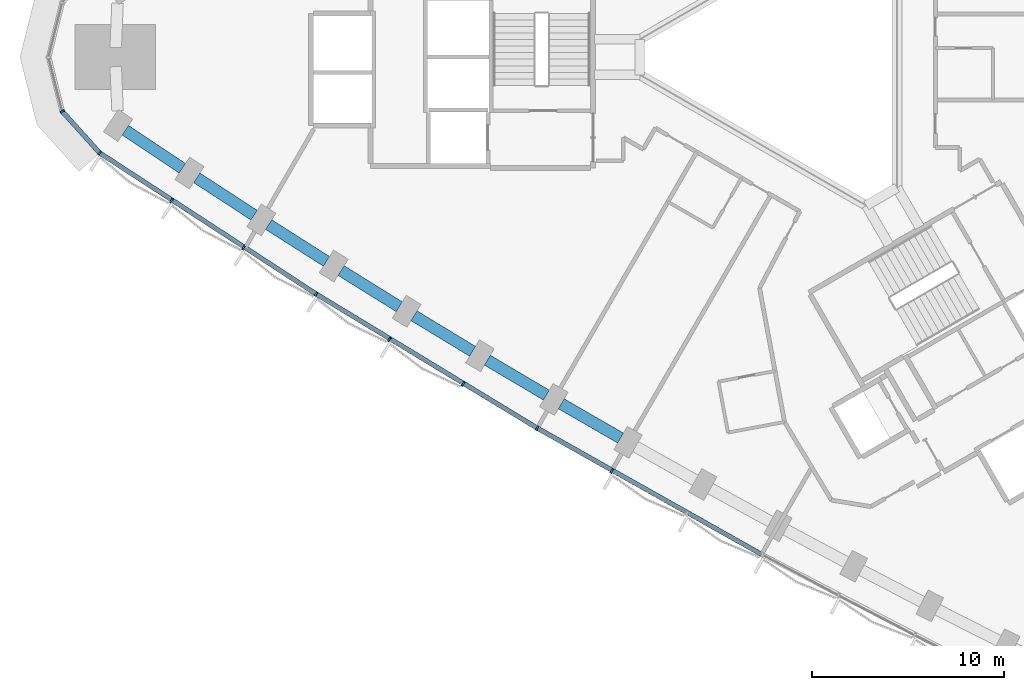
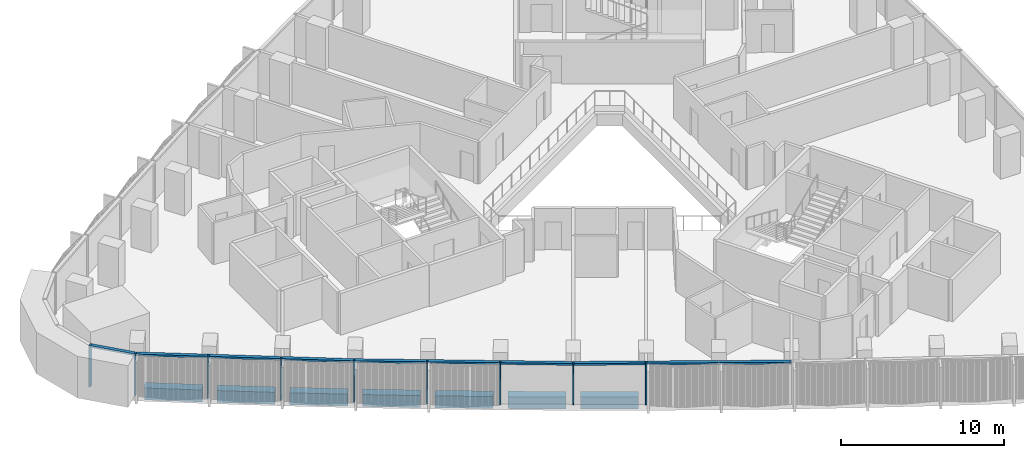
# One storey, part 2 of 15: 13 members, 7 beams, 2 elements without a shape of their own.
"""IFC4 building model written with IfcOpenShell, lengths in metres."""

from ifc_helpers import new_model, si_unit, direction, frame, origin, origin_2d, place, context, subcontext, project, spatial, rectangle, extrude, material, material_profile, profile_set, type_object, element, aggregate, save


model = new_model("IFC4")

# Units and contexts
model_context = context("Model", 3, precision=1e-05, world=origin(), true_north=direction((0.0, 1.0)))
body_context = subcontext(model_context, "Body", "Model", "MODEL_VIEW")
ifc_project = project(units=[si_unit("LENGTHUNIT", "METRE"), si_unit("AREAUNIT", "SQUARE_METRE"), si_unit("VOLUMEUNIT", "CUBIC_METRE"), si_unit("PLANEANGLEUNIT", "RADIAN"), si_unit("MASSUNIT", "GRAM", prefix="KILO")], contexts=[model_context])

# Site, building, storey
site_placement = place(None, origin())
site = spatial("IfcSite", under=ifc_project, at=site_placement, CompositionType="ELEMENT")
building_placement = place(site_placement, origin())
building = spatial("IfcBuilding", under=site, at=building_placement, Name="Tamra Quay Hotel Tower", CompositionType="ELEMENT")
storey_placement = place(building_placement, frame((0.0, 0.0, 42.199951171875)))
storey = spatial("IfcBuildingStorey", under=building, at=storey_placement, Name="L08", CompositionType="ELEMENT", Elevation=42.199951171875)

# Curtain wall, member
ifc_material_1 = material(Name="Aluminium 6063 anodised dark grey", Category="aluminium")
curtain_wall_type_1 = type_object("IfcCurtainWallType", Name="CW2 CURTAIN WALL", PredefinedType="NOTDEFINED", material=ifc_material_1)
curtain_wall_1_placement = place(storey_placement, origin())
curtain_wall_1 = element("IfcCurtainWall", 1, at=curtain_wall_1_placement, inside=storey, type_object=curtain_wall_type_1, Name="CW2 north-west face L08", PredefinedType="NOTDEFINED")
ifc_material_profile_1 = material_profile(ifc_material_1, rectangle(XDim=0.239990234375, YDim=0.10009765625, at=origin_2d()), Name="MULLION 100X240")
ifc_profile_set_1 = profile_set([ifc_material_profile_1], Name="Aluminium 6063 anodised dark grey")
member_type_1 = type_object("IfcMemberType", Name="MULLION CW2 Z1", PredefinedType="MULLION", material=ifc_profile_set_1)
member_1_placement = place(storey_placement, frame((-38.497802734375, -2.828125, 0.0), z_axis=(0.0, 0.0, 1.0), x_axis=(-0.882955345235, -0.469456982396, 0.0)))
member_1 = element("IfcMember", 2, at=member_1_placement, type_object=member_type_1, Name="CW2 mullion L08.NW.17", PredefinedType="MULLION", context=body_context, shape_type="SweptSolid", body=[
    extrude(rectangle(XDim=0.239990234375, YDim=0.10009765625, at=origin_2d()), origin(), (0.0, 0.0, 1.0), 3.125),
])

# Curtain wall, members
curtain_wall_type_2 = type_object("IfcCurtainWallType", Name="CW3 CURTAIN WALL", PredefinedType="NOTDEFINED", material=ifc_material_1)
curtain_wall_2_placement = place(storey_placement, origin())
curtain_wall_2 = element("IfcCurtainWall", 3, at=curtain_wall_2_placement, inside=storey, type_object=curtain_wall_type_2, Name="CW3 south-west face L08", PredefinedType="NOTDEFINED")
ifc_material_profile_2 = material_profile(ifc_material_1, rectangle(XDim=0.239990234375, YDim=0.10009765625, at=origin_2d()), Name="MULLION 100X240")
ifc_profile_set_2 = profile_set([ifc_material_profile_2], Name="Aluminium 6063 anodised dark grey")
member_type_2 = type_object("IfcMemberType", Name="MULLION CW3 Z1", PredefinedType="MULLION", material=ifc_profile_set_2)
member_2_placement = place(storey_placement, frame((-36.547607421875, -4.993896484375, 0.0), z_axis=(0.0, 0.0, 1.0), x_axis=(-0.654196774513, -0.756324388221, 0.0)))
member_2 = element("IfcMember", 4, at=member_2_placement, type_object=member_type_2, Name="CW3 mullion L08.SW.1", PredefinedType="MULLION", context=body_context, shape_type="SweptSolid", body=[
    extrude(rectangle(XDim=0.239990234375, YDim=0.10009765625, at=origin_2d()), origin(), (0.0, 0.0, 1.0), 3.125),
])
member_3_placement = place(storey_placement, frame((-32.814208984375, -7.4853515625, 0.0), z_axis=(0.0, 0.0, 1.0), x_axis=(-0.550591269595, -0.834774971981, 0.0)))
member_3 = element("IfcMember", 5, at=member_3_placement, type_object=member_type_2, Name="CW3 mullion L08.SW.2", PredefinedType="MULLION", context=body_context, shape_type="SweptSolid", body=[
    extrude(rectangle(XDim=0.239990234375, YDim=0.10009765625, at=origin_2d()), origin(), (0.0, 0.0, 1.0), 3.125),
])
member_4_placement = place(storey_placement, frame((-29.05322265625, -9.93701171875, 0.0), z_axis=(0.0, 0.0, 1.0), x_axis=(-0.541560885498, -0.84066152957, 0.0)))
member_4 = element("IfcMember", 6, at=member_4_placement, type_object=member_type_2, Name="CW3 mullion L08.SW.3", PredefinedType="MULLION", context=body_context, shape_type="SweptSolid", body=[
    extrude(rectangle(XDim=0.239990234375, YDim=0.10009765625, at=origin_2d()), origin(), (0.0, 0.0, 1.0), 3.125),
])
member_5_placement = place(storey_placement, frame((-25.2666015625, -12.34765625, 0.0), z_axis=(0.0, 0.0, 1.0), x_axis=(-0.532446882669, -0.846463417482, 0.0)))
member_5 = element("IfcMember", 7, at=member_5_placement, type_object=member_type_2, Name="CW3 mullion L08.SW.4", PredefinedType="MULLION", context=body_context, shape_type="SweptSolid", body=[
    extrude(rectangle(XDim=0.239990234375, YDim=0.10009765625, at=origin_2d()), origin(), (0.0, 0.0, 1.0), 3.125),
])
member_6_placement = place(storey_placement, frame((-21.454345703125, -14.717041015625, 0.0), z_axis=(0.0, 0.0, 1.0), x_axis=(-0.523257144174, -0.852174841843, 0.0)))
member_6 = element("IfcMember", 8, at=member_6_placement, type_object=member_type_2, Name="CW3 mullion L08.SW.5", PredefinedType="MULLION", context=body_context, shape_type="SweptSolid", body=[
    extrude(rectangle(XDim=0.239990234375, YDim=0.10009765625, at=origin_2d()), origin(), (0.0, 0.0, 1.0), 3.125),
])
member_7_placement = place(storey_placement, frame((-17.61572265625, -17.04541015625, 0.0), z_axis=(0.0, 0.0, 1.0), x_axis=(-0.514004526657, -0.857787471683, 0.0)))
member_7 = element("IfcMember", 9, at=member_7_placement, type_object=member_type_2, Name="CW3 mullion L08.SW.6", PredefinedType="MULLION", context=body_context, shape_type="SweptSolid", body=[
    extrude(rectangle(XDim=0.239990234375, YDim=0.10009765625, at=origin_2d()), origin(), (0.0, 0.0, 1.0), 3.125),
])
member_8_placement = place(storey_placement, frame((-13.7529296875, -19.331787109375, 0.0), z_axis=(0.0, 0.0, 1.0), x_axis=(-0.504685008453, -0.863303563205, 0.0)))
member_8 = element("IfcMember", 10, at=member_8_placement, type_object=member_type_2, Name="CW3 mullion L08.SW.7", PredefinedType="MULLION", context=body_context, shape_type="SweptSolid", body=[
    extrude(rectangle(XDim=0.239990234375, YDim=0.10009765625, at=origin_2d()), origin(), (0.0, 0.0, 1.0), 3.125),
])
member_9_placement = place(storey_placement, frame((-9.865478515625, -21.576171875, 0.0), z_axis=(0.0, 0.0, 1.0), x_axis=(-0.495300312687, -0.868721819832, 0.0)))
member_9 = element("IfcMember", 11, at=member_9_placement, type_object=member_type_2, Name="CW3 mullion L08.SW.8", PredefinedType="MULLION", context=body_context, shape_type="SweptSolid", body=[
    extrude(rectangle(XDim=0.239990234375, YDim=0.10009765625, at=origin_2d()), origin(), (0.0, 0.0, 1.0), 3.125),
])

# Beams
ifc_material_2 = material(Name="Concrete M60", Category="concrete")
ifc_material_profile_3 = material_profile(ifc_material_2, rectangle(XDim=0.60009765625, YDim=0.89990234375, at=origin_2d()), Name="SPANDREL BEAM RC 600x900")
ifc_profile_set_3 = profile_set([ifc_material_profile_3], Name="Concrete M60")
beam_type = type_object("IfcBeamType", Name="SPANDREL BEAM RC 600x900", PredefinedType="SPANDREL", material=ifc_profile_set_3)
beam_1_placement = place(storey_placement, frame((-35.209228515625, -3.814697265625, -0.925048828125), z_axis=(0.831818807601, -0.555047269448, 0.0), x_axis=(0.555047269448, 0.831818807601, 0.0)))
element("IfcBeam", 12, at=beam_1_placement, inside=storey, type_object=beam_type, Name="BM-SP1-030-L08", PredefinedType="SPANDREL", context=body_context, shape_type="SweptSolid", body=[
    extrude(rectangle(XDim=0.60009765625, YDim=0.89990234375, at=origin_2d()), origin(), (0.0, 0.0, 1.0), 3.57080078125),
])
beam_2_placement = place(storey_placement, frame((-31.48779296875, -6.292236328125, -0.925048828125), z_axis=(0.837739819239, -0.546069588296, 0.0), x_axis=(0.546069588296, 0.837739819239, 0.0)))
element("IfcBeam", 13, at=beam_2_placement, inside=storey, type_object=beam_type, Name="BM-SP1-031-L08", PredefinedType="SPANDREL", context=body_context, shape_type="SweptSolid", body=[
    extrude(rectangle(XDim=0.60009765625, YDim=0.89990234375, at=origin_2d()), origin(), (0.0, 0.0, 1.0), 3.570068359375),
])
beam_3_placement = place(storey_placement, frame((-27.740478515625, -8.729248046875, -0.925048828125), z_axis=(0.843593906333, -0.53698167678, 0.0), x_axis=(0.53698167678, 0.843593906333, 0.0)))
element("IfcBeam", 14, at=beam_3_placement, inside=storey, type_object=beam_type, Name="BM-SP1-032-L08", PredefinedType="SPANDREL", context=body_context, shape_type="SweptSolid", body=[
    extrude(rectangle(XDim=0.60009765625, YDim=0.89990234375, at=origin_2d()), origin(), (0.0, 0.0, 1.0), 3.5703125),
])
beam_4_placement = place(storey_placement, frame((-23.966552734375, -11.125732421875, -0.925048828125), z_axis=(0.849320953317, -0.527876802158, 0.0), x_axis=(0.527876802158, 0.849320953317, 0.0)))
element("IfcBeam", 15, at=beam_4_placement, inside=storey, type_object=beam_type, Name="BM-SP1-033-L08", PredefinedType="SPANDREL", context=body_context, shape_type="SweptSolid", body=[
    extrude(rectangle(XDim=0.60009765625, YDim=0.89990234375, at=origin_2d()), origin(), (0.0, 0.0, 1.0), 3.570556640625),
])
beam_5_placement = place(storey_placement, frame((-20.1669921875, -13.4814453125, -0.925048828125), z_axis=(0.854966252085, -0.518683629775, 0.0), x_axis=(0.518683629775, 0.854966252085, 0.0)))
element("IfcBeam", 16, at=beam_5_placement, inside=storey, type_object=beam_type, Name="BM-SP1-034-L08", PredefinedType="SPANDREL", context=body_context, shape_type="SweptSolid", body=[
    extrude(rectangle(XDim=0.60009765625, YDim=0.89990234375, at=origin_2d()), origin(), (0.0, 0.0, 1.0), 3.56982421875),
])
beam_6_placement = place(storey_placement, frame((-16.3427734375, -15.79541015625, -0.925048828125), z_axis=(0.860524689034, -0.509408735264, 0.0), x_axis=(0.509408735264, 0.860524689034, 0.0)))
element("IfcBeam", 17, at=beam_6_placement, inside=storey, type_object=beam_type, Name="BM-SP1-035-L08", PredefinedType="SPANDREL", context=body_context, shape_type="SweptSolid", body=[
    extrude(rectangle(XDim=0.60009765625, YDim=0.89990234375, at=origin_2d()), origin(), (0.0, 0.0, 1.0), 3.570556640625),
])
beam_7_placement = place(storey_placement, frame((-12.493408203125, -18.068359375, -0.925048828125), z_axis=(0.866017069707, -0.500014434768, 0.0), x_axis=(0.500014434768, 0.866017069707, 0.0)))
element("IfcBeam", 18, at=beam_7_placement, inside=storey, type_object=beam_type, Name="BM-SP1-036-L08", PredefinedType="SPANDREL", context=body_context, shape_type="SweptSolid", body=[
    extrude(rectangle(XDim=0.60009765625, YDim=0.89990234375, at=origin_2d()), origin(), (0.0, 0.0, 1.0), 3.57080078125),
])

# Member
ifc_material_profile_4 = material_profile(ifc_material_1, rectangle(XDim=0.239990234375, YDim=0.139892578125, at=origin_2d()), Name="TRANSOM 240X140")
ifc_profile_set_4 = profile_set([ifc_material_profile_4], Name="Aluminium 6063 anodised dark grey")
member_type_3 = type_object("IfcMemberType", Name="TRANSOM CW2 Z1", PredefinedType="USERDEFINED", material=ifc_profile_set_4)
member_10_placement = place(storey_placement, frame((-38.46435546875, -2.865234375, 3.054931640625), z_axis=(0.669142034262, -0.743134535588, 0.0), x_axis=(0.743134535588, 0.669142034262, 0.0)))
member_10 = element("IfcMember", 19, at=member_10_placement, type_object=member_type_3, Name="CW2 transom L08.NW.17", ObjectType="TRANSOM", PredefinedType="USERDEFINED", context=body_context, shape_type="SweptSolid", body=[
    extrude(rectangle(XDim=0.239990234375, YDim=0.139892578125, at=origin_2d()), origin(), (0.0, 0.0, 1.0), 2.814453125),
])

aggregate(curtain_wall_1, [member_1, member_10])

ifc_material_profile_5 = material_profile(ifc_material_1, rectangle(XDim=0.239990234375, YDim=0.139892578125, at=origin_2d()), Name="TRANSOM 240X140")
ifc_profile_set_5 = profile_set([ifc_material_profile_5], Name="Aluminium 6063 anodised dark grey")
member_type_4 = type_object("IfcMemberType", Name="TRANSOM CW3 Z1", PredefinedType="USERDEFINED", material=ifc_profile_set_5)
member_11_placement = place(storey_placement, frame((-36.506103515625, -5.021728515625, 3.054931640625), z_axis=(0.83773012635, -0.546084458126, 0.0), x_axis=(0.546084458126, 0.83773012635, 0.0)))
member_11 = element("IfcMember", 20, at=member_11_placement, type_object=member_type_4, Name="CW3 transom L08.SW.1", ObjectType="TRANSOM", PredefinedType="USERDEFINED", context=body_context, shape_type="SweptSolid", body=[
    extrude(rectangle(XDim=0.239990234375, YDim=0.139892578125, at=origin_2d()), origin(), (0.0, 0.0, 1.0), 13.3662109375),
])

member_12_placement = place(storey_placement, frame((-25.22412109375, -12.3740234375, 3.054931640625), z_axis=(0.854992910191, -0.518639685642, 0.0), x_axis=(0.518639685642, 0.854992910191, 0.0)))
member_12 = element("IfcMember", 21, at=member_12_placement, type_object=member_type_4, Name="CW3 transom L08.SW.4", ObjectType="TRANSOM", PredefinedType="USERDEFINED", context=body_context, shape_type="SweptSolid", body=[
    extrude(rectangle(XDim=0.239990234375, YDim=0.139892578125, at=origin_2d()), origin(), (0.0, 0.0, 1.0), 13.366455078125),
])

member_13_placement = place(storey_placement, frame((-13.70947265625, -19.35693359375, 3.054931640625), z_axis=(0.871394018257, -0.490583800125, 0.0), x_axis=(0.490583800125, 0.871394018257, 0.0)))
member_13 = element("IfcMember", 22, at=member_13_placement, type_object=member_type_4, Name="CW3 transom L08.SW.7", ObjectType="TRANSOM", PredefinedType="USERDEFINED", context=body_context, shape_type="SweptSolid", body=[
    extrude(rectangle(XDim=0.239990234375, YDim=0.139892578125, at=origin_2d()), origin(), (0.0, 0.0, 1.0), 13.366455078125),
])

aggregate(curtain_wall_2, [member_2, member_11, member_3, member_4, member_5, member_12, member_6, member_7, member_8, member_13, member_9])

save(model, "model.ifc")
